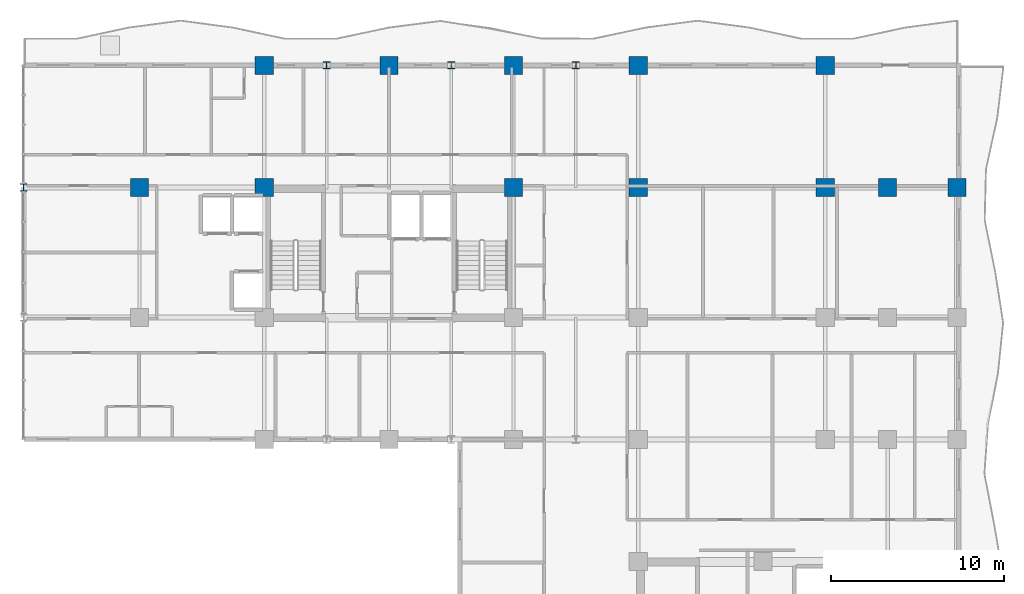
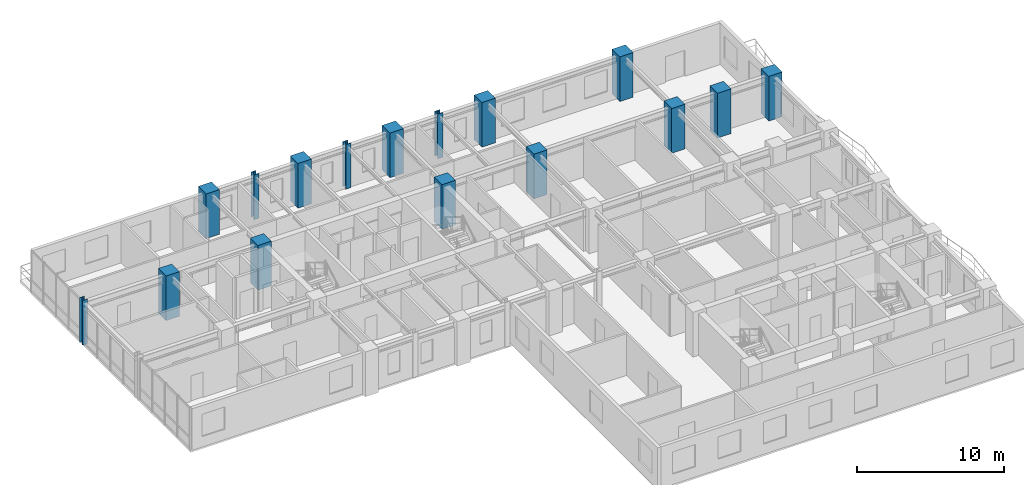
# One storey, part 2 of 19: 16 columns.
"""IFC4 building model written with IfcOpenShell, lengths in metres."""

import ifcopenshell
import ifcopenshell.guid

model = None  # the IFC model being written
_history = None  # IfcOwnerHistory: only IFC2X3 demands one
_inside = {}  # id of a spatial element -> (the spatial element, [elements in it])
_under = {}  # id of a project, library or spatial element -> (it, [spatial elements below it])
_declared = {}  # id of a project -> (the project, [libraries it declares])
_typed = {}  # id of a type object -> (the type object, [elements of that type])
_made_of = {}  # id of a material, layer set ... -> (it, [elements and type objects made of it])


def new_model(schema):
    """Start an empty IFC model of exactly this schema.

    Asked for "IFC4X3", IfcOpenShell would pick the latest addendum, in which some entities
    have other attributes; the version numbers below select the first issue.
    IFC2X3 requires an IfcOwnerHistory on every rooted entity: one is made here for all.
    """
    global model, _history
    if schema == "IFC4X3":
        model = ifcopenshell.file(schema_version=(4, 3, 0, 0))
    else:
        model = ifcopenshell.file(schema=schema)
    _inside.clear()
    _under.clear()
    _declared.clear()
    _typed.clear()
    _made_of.clear()
    _history = None
    if model.schema == "IFC2X3":
        org = make("IfcOrganization", Name="unknown")
        user = make(
            "IfcPersonAndOrganization",
            ThePerson=make("IfcPerson", FamilyName="unknown"),
            TheOrganization=org,
        )
        app = make(
            "IfcApplication",
            ApplicationDeveloper=org,
            Version="unknown",
            ApplicationFullName="unknown",
            ApplicationIdentifier="unknown",
        )
        _history = make(
            "IfcOwnerHistory",
            OwningUser=user,
            OwningApplication=app,
            ChangeAction="ADDED",
            CreationDate=0,
        )
    return model


def make(cls, **values):
    """One entity of the class cls with the attributes given. An attribute that is None is left unset."""
    return model.create_entity(
        cls, **{name: value for name, value in values.items() if value is not None}
    )


def rooted(cls, **values):
    """An entity with a GlobalId (a new one), such as an element, a storey or a relation."""
    return make(cls, GlobalId=ifcopenshell.guid.new(), OwnerHistory=_history, **values)


def si_unit(unit_type, name, prefix=None):
    """IfcSIUnit, for example si_unit("LENGTHUNIT", "METRE", prefix="MILLI")."""
    return make("IfcSIUnit", UnitType=unit_type, Prefix=prefix, Name=name)


def assignment(units):
    """IfcUnitAssignment: the units of a project."""
    return None if units is None else make("IfcUnitAssignment", Units=units)


def point(xyz):
    """IfcCartesianPoint."""
    return None if xyz is None else make("IfcCartesianPoint", Coordinates=xyz)


def direction(xyz):
    """IfcDirection."""
    return None if xyz is None else make("IfcDirection", DirectionRatios=xyz)


def frame(location, z_axis=None, x_axis=None):
    """IfcAxis2Placement3D, a coordinate frame: its origin and axes. An axis left out is left unset."""
    return make(
        "IfcAxis2Placement3D",
        Location=point(location),
        Axis=direction(z_axis),
        RefDirection=direction(x_axis),
    )


def frame_2d(location, x_axis=None):
    """IfcAxis2Placement2D, a coordinate frame in the plane: its origin and x axis."""
    return make(
        "IfcAxis2Placement2D", Location=point(location), RefDirection=direction(x_axis)
    )


def origin():
    """The frame at (0, 0, 0) with its axes left unset."""
    return frame((0.0, 0.0, 0.0))


def origin_2d():
    """The frame at (0, 0) in the plane with its x axis left unset."""
    return frame_2d((0.0, 0.0))


def place(relative_to, where):
    """IfcLocalPlacement: puts the frame where relative to a parent placement (None: the world)."""
    return make(
        "IfcLocalPlacement", PlacementRelTo=relative_to, RelativePlacement=where
    )


def context(
    kind, dimensions, precision=None, world=None, true_north=None, identifier=None
):
    """IfcGeometricRepresentationContext, for example the 3D "Model" context."""
    return make(
        "IfcGeometricRepresentationContext",
        ContextIdentifier=identifier,
        ContextType=kind,
        CoordinateSpaceDimension=dimensions,
        Precision=precision,
        WorldCoordinateSystem=world,
        TrueNorth=true_north,
    )


def subcontext(parent, identifier, kind, view, scale=None):
    """IfcGeometricRepresentationSubContext, for example "Body" below "Model"."""
    return make(
        "IfcGeometricRepresentationSubContext",
        ContextIdentifier=identifier,
        ContextType=kind,
        ParentContext=parent,
        TargetScale=scale,
        TargetView=view,
    )


def project(units=None, contexts=None):
    """IfcProject with its units and contexts."""
    return rooted(
        "IfcProject",
        Name="project",
        RepresentationContexts=contexts,
        UnitsInContext=assignment(units),
    )


def spatial(cls, under=None, at=None, **own):
    """A site, building, storey or space (cls), placed at a placement, below another one or the project."""
    s = rooted(cls, ObjectPlacement=at, **own)
    if under is not None:
        _under.setdefault(under.id(), (under, []))[1].append(s)
    return s


def profile(cls, at=None, kind="AREA", **sizes):
    """A parametric profile (cls). Its sizes go by their IFC names, for example OverallWidth=200.0."""
    return make(cls, ProfileType=kind, Position=at, **sizes)


def rectangle(**sizes):
    """IfcRectangleProfileDef."""
    return profile("IfcRectangleProfileDef", **sizes)


def i_section(**sizes):
    """IfcIShapeProfileDef."""
    return profile("IfcIShapeProfileDef", **sizes)


def extrude(swept, where, along, depth):
    """IfcExtrudedAreaSolid: the profile swept, set in the frame where, extruded along a direction by depth."""
    return make(
        "IfcExtrudedAreaSolid",
        SweptArea=swept,
        Position=where,
        ExtrudedDirection=direction(along),
        Depth=depth,
    )


def shape(context_of_items, identifier, shape_type, items):
    """IfcShapeRepresentation: the items that make up one representation, for example the "Body"."""
    return make(
        "IfcShapeRepresentation",
        ContextOfItems=context_of_items,
        RepresentationIdentifier=identifier,
        RepresentationType=shape_type,
        Items=items,
    )


def source(mapping_origin, context_of_items, identifier, shape_type, items):
    """IfcRepresentationMap: a shape defined once, which mapped items show again and again."""
    return make(
        "IfcRepresentationMap",
        MappingOrigin=mapping_origin,
        MappedRepresentation=shape(context_of_items, identifier, shape_type, items),
    )


def transform(
    local_origin,
    x_axis=None,
    y_axis=None,
    z_axis=None,
    scale=None,
    scale2=None,
    scale3=None,
    uniform=True,
):
    """IfcCartesianTransformationOperator3D, or its non-uniform kind. x_axis, y_axis, z_axis: its Axis1, 2, 3."""
    if uniform:
        return make(
            "IfcCartesianTransformationOperator3D",
            Axis1=direction(x_axis),
            Axis2=direction(y_axis),
            LocalOrigin=point(local_origin),
            Scale=scale,
            Axis3=direction(z_axis),
        )
    return make(
        "IfcCartesianTransformationOperator3DnonUniform",
        Axis1=direction(x_axis),
        Axis2=direction(y_axis),
        LocalOrigin=point(local_origin),
        Scale=scale,
        Axis3=direction(z_axis),
        Scale2=scale2,
        Scale3=scale3,
    )


def mapped(mapping_source, mapping_target):
    """IfcMappedItem: shows the shape of a source again, moved by a transform."""
    return make(
        "IfcMappedItem", MappingSource=mapping_source, MappingTarget=mapping_target
    )


def material(Name=None, Category=None):
    """IfcMaterial."""
    return make("IfcMaterial", Name=Name, Category=Category)


def material_profile(
    of_material, cross_section, Name=None, Category=None, Priority=None
):
    """IfcMaterialProfile: a cross section and its material."""
    return make(
        "IfcMaterialProfile",
        Name=Name,
        Material=of_material,
        Profile=cross_section,
        Priority=Priority,
        Category=Category,
    )


def profile_set(profiles, Name=None, composite=None):
    """IfcMaterialProfileSet."""
    return make(
        "IfcMaterialProfileSet",
        Name=Name,
        MaterialProfiles=profiles,
        CompositeProfile=composite,
    )


def made_of(thing, what):
    """Note that an element or type object is made of a material, layer set ...; save() writes the relation."""
    if what is not None:
        _made_of.setdefault(what.id(), (what, []))[1].append(thing)
    return thing


def type_object(cls, material=None, **own):
    """A type object (cls), such as IfcWallType, which elements share."""
    return made_of(rooted(cls, **own), material)


def element(
    cls,
    number,
    at=None,
    inside=None,
    cuts=None,
    type_object=None,
    material=None,
    context=None,
    identifier="Body",
    shape_type=None,
    held_by="IfcProductDefinitionShape",
    body=None,
    shapes=None,
    **own,
):
    """One element of the class cls, such as IfcWall. Its Tag is "e" and its number.

    at: its placement. inside: the storey or other place that contains it. cuts: it is an
    opening in that element (IfcRelVoidsElement). A single representation is given by context,
    identifier, shape_type and body (its items); several are given by shapes. held_by: the class
    of the entity that holds the representations. save() writes the other relations.
    """
    e = rooted(cls, Tag="e%d" % number, ObjectPlacement=at, **own)
    if body is not None:
        shapes = [shape(context, identifier, shape_type, body)]
    if shapes is not None:
        e.Representation = make(held_by, Representations=shapes)
    if inside is not None:
        _inside.setdefault(inside.id(), (inside, []))[1].append(e)
    if cuts is not None:
        rooted(
            "IfcRelVoidsElement", RelatingBuildingElement=cuts, RelatedOpeningElement=e
        )
    if type_object is not None:
        _typed.setdefault(type_object.id(), (type_object, []))[1].append(e)
    return made_of(e, material)


def aggregate(whole, parts):
    """IfcRelAggregates: a whole, such as a stair, and the parts it consists of."""
    return rooted("IfcRelAggregates", RelatingObject=whole, RelatedObjects=parts)


def save(model, path):
    """Write the relations noted so far, then the file.

    IfcRelAggregates (storeys below a building ...), IfcRelContainedInSpatialStructure (elements
    in a storey), IfcRelDefinesByType, IfcRelAssociatesMaterial and IfcRelDeclares: one each for
    every whole, place, type object, material and project.
    """
    for whole, parts in _under.values():
        aggregate(whole, parts)
    for where, things in _inside.values():
        rooted(
            "IfcRelContainedInSpatialStructure",
            RelatedElements=things,
            RelatingStructure=where,
        )
    for kind, things in _typed.values():
        rooted("IfcRelDefinesByType", RelatedObjects=things, RelatingType=kind)
    for what, things in _made_of.values():
        rooted("IfcRelAssociatesMaterial", RelatedObjects=things, RelatingMaterial=what)
    for by, libraries in _declared.values():
        rooted("IfcRelDeclares", RelatingContext=by, RelatedDefinitions=libraries)
    model.write(path)


model = new_model("IFC4")

# Units and contexts
model_context = context("Model", 3, precision=1e-05, world=origin(), true_north=direction((0.0, 1.0)))
body_context = subcontext(model_context, "Body", "Model", "MODEL_VIEW")
ifc_project = project(units=[si_unit("LENGTHUNIT", "METRE"), si_unit("AREAUNIT", "SQUARE_METRE"), si_unit("VOLUMEUNIT", "CUBIC_METRE"), si_unit("PLANEANGLEUNIT", "RADIAN"), si_unit("MASSUNIT", "GRAM", prefix="KILO")], contexts=[model_context])

# Site, building, storey
site_placement = place(None, origin())
site = spatial("IfcSite", under=ifc_project, at=site_placement, CompositionType="ELEMENT")
building_placement = place(site_placement, origin())
building = spatial("IfcBuilding", under=site, at=building_placement, Name="Kaliganga Portal Commons", CompositionType="ELEMENT")
storey_placement = place(building_placement, frame((0.0, 0.0, 184.60009765625)))
storey = spatial("IfcBuildingStorey", under=building, at=storey_placement, Name="L47", CompositionType="ELEMENT", Elevation=184.60009765625)

# Columns
ifc_material_1 = material(Name="Concrete C60/75", Category="concrete")
ifc_material_profile_1 = material_profile(ifc_material_1, rectangle(XDim=1.050048828125, YDim=1.050048828125, at=origin_2d()), Name="RC 1050x1050")
ifc_profile_set_1 = profile_set([ifc_material_profile_1], Name="Concrete C60/75")
column_type_1 = type_object("IfcColumnType", Name="COL-MEGA-Z3", PredefinedType="COLUMN", material=ifc_profile_set_1)
shared_shape_1 = source(origin(), body_context, "Body", "SweptSolid", [
    extrude(rectangle(XDim=1.050048828125, YDim=1.050048828125, at=origin_2d()), origin(), (0.0, 0.0, 1.0), 3.699951171875),
])
for number, where, z_axis, x_axis, name in (
    (1, (7.199951171875, 36.14990234375, 0.0), (0.0, 0.0, 1.0), (1.0, 0.0, 0.0), "Column MC-04 L47"),
    (2, (14.39990234375, 36.14990234375, 0.0), (0.0, 0.0, 1.0), (1.0, 0.0, 0.0), "Column MC-04 L47"),
    (3, (14.39990234375, 43.199951171875, 0.0), (0.0, 0.0, 1.0), (1.0, 0.0, 0.0), "Column MC-04 L47"),
    (4, (21.60009765625, 43.199951171875, 0.0), (0.0, 0.0, 1.0), (1.0, 0.0, 0.0), "Column MC-04 L47"),
    (5, (28.800048828125, 36.14990234375, 0.0), (0.0, 0.0, 1.0), (1.0, 0.0, 0.0), "Column MC-04 L47"),
    (6, (28.800048828125, 43.199951171875, 0.0), (0.0, 0.0, 1.0), (1.0, 0.0, 0.0), "Column MC-04 L47"),
    (7, (36.0, 43.199951171875, 0.0), (0.0, 0.0, 1.0), (1.0, 0.0, 0.0), "Column MC-04 L47"),
    (8, (36.0, 36.14990234375, 0.0), (0.0, 0.0, 1.0), (1.0, 0.0, 0.0), "Column MC-04 L47"),
    (9, (46.800048828125, 36.14990234375, 0.0), (0.0, 0.0, 1.0), (1.0, 0.0, 0.0), "Column MC-04 L47"),
    (10, (46.800048828125, 43.199951171875, 0.0), (0.0, 0.0, 1.0), (1.0, 0.0, 0.0), "Column MC-04 L47"),
    (11, (50.39990234375, 36.14990234375, 0.0), (0.0, 0.0, 1.0), (1.0, 0.0, 0.0), "Column MC-04 L47"),
    (12, (54.39990234375, 36.14990234375, 0.0), (0.0, 0.0, 1.0), (1.0, 0.0, 0.0), "Column MC-04 L47"),
):
    element("IfcColumn", number, at=place(storey_placement, frame(where, z_axis=z_axis, x_axis=x_axis)), inside=storey, type_object=column_type_1, Name=name, PredefinedType="COLUMN", context=body_context, shape_type="MappedRepresentation", body=[
        mapped(shared_shape_1, transform((0.0, 0.0, 0.0), x_axis=(1.0, 0.0, 0.0), y_axis=(0.0, 1.0, 0.0), z_axis=(0.0, 0.0, 1.0), scale=1.0)),
    ])
ifc_material_2 = material(Name="Structural steel S460M", Category="steel")
ifc_material_profile_2 = material_profile(ifc_material_2, i_section(OverallWidth=0.404052734375, OverallDepth=0.4140625, WebThickness=0.0205078125, FlangeThickness=0.028076171875, FilletRadius=0.014892578125, at=origin_2d()), Name="HD 400x347")
ifc_profile_set_2 = profile_set([ifc_material_profile_2], Name="Structural steel S460M wide-flange")
column_type_2 = type_object("IfcColumnType", Name="COL-TUBE-B3", PredefinedType="COLUMN", material=ifc_profile_set_2)
shared_shape_2 = source(origin(), body_context, "Body", "SweptSolid", [
    extrude(i_section(OverallWidth=0.404052734375, OverallDepth=0.4140625, WebThickness=0.0205078125, FlangeThickness=0.028076171875, FilletRadius=0.014892578125, at=origin_2d()), origin(), (0.0, 0.0, 1.0), 3.699951171875),
])
for number, where, z_axis, x_axis, name in (
    (13, (0.5, 36.14990234375, 0.0), (0.0, 0.0, 1.0), (1.0, 0.0, 0.0), "Column TC-03 L47"),
    (14, (18.0, 43.199951171875, 0.0), (0.0, 0.0, 1.0), (1.0, 0.0, 0.0), "Column TC-03 L47"),
    (15, (25.199951171875, 43.199951171875, 0.0), (0.0, 0.0, 1.0), (1.0, 0.0, 0.0), "Column TC-03 L47"),
    (16, (32.39990234375, 43.199951171875, 0.0), (0.0, 0.0, 1.0), (1.0, 0.0, 0.0), "Column TC-03 L47"),
):
    element("IfcColumn", number, at=place(storey_placement, frame(where, z_axis=z_axis, x_axis=x_axis)), inside=storey, type_object=column_type_2, Name=name, PredefinedType="COLUMN", context=body_context, shape_type="MappedRepresentation", body=[
        mapped(shared_shape_2, transform((0.0, 0.0, 0.0), x_axis=(1.0, 0.0, 0.0), y_axis=(0.0, 1.0, 0.0), z_axis=(0.0, 0.0, 1.0), scale=1.0)),
    ])

save(model, "model.ifc")
